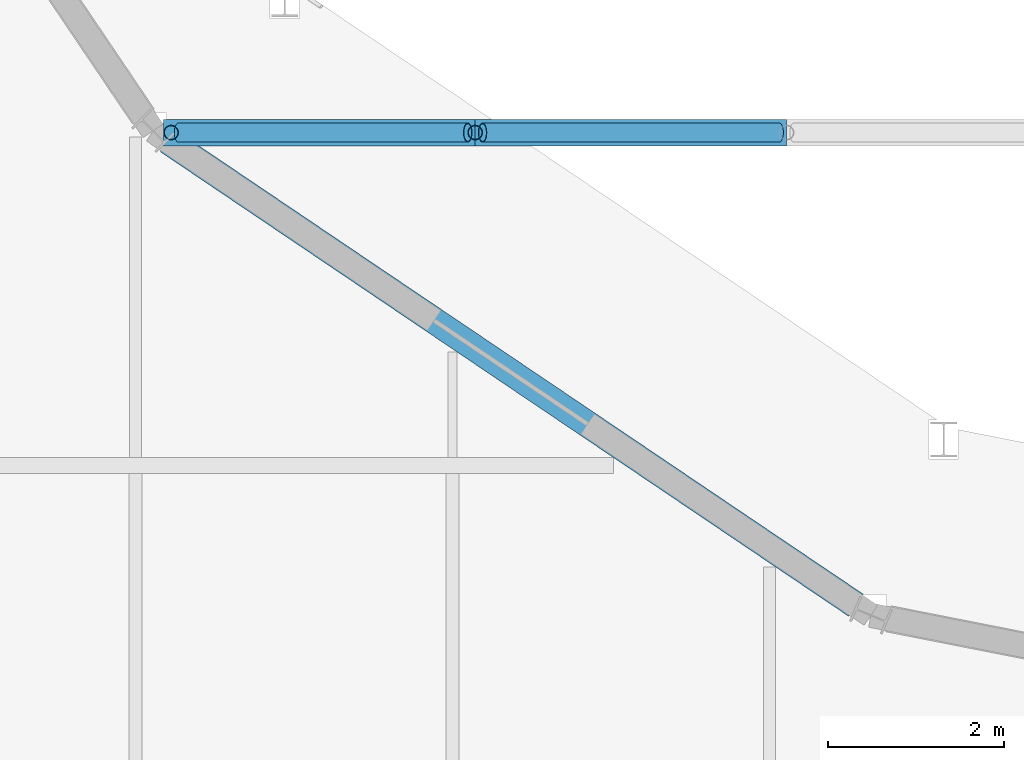
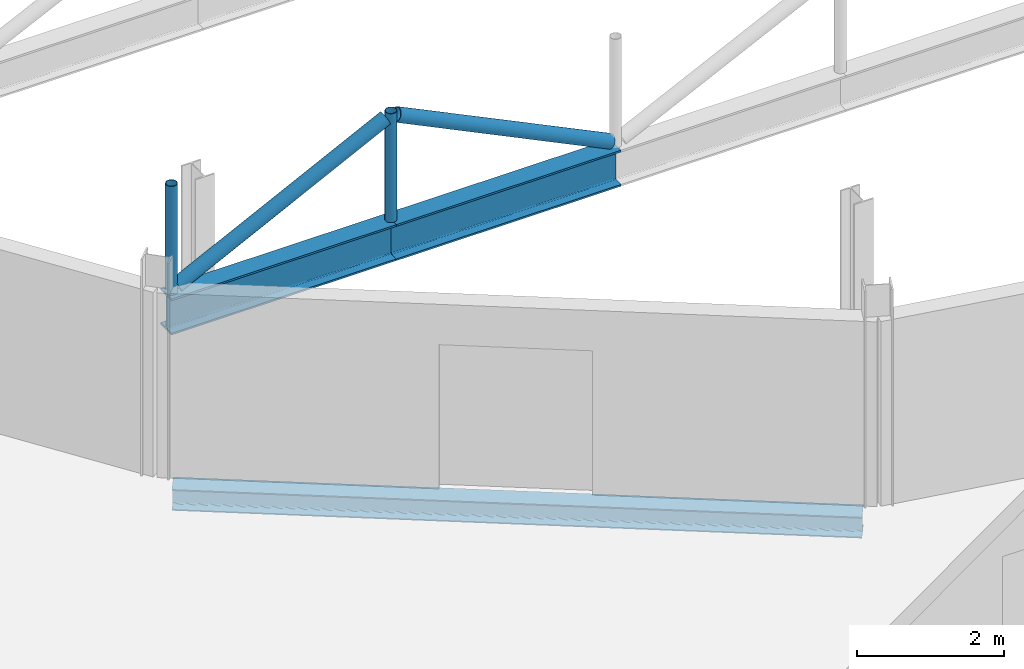
# One storey, part 34 of 143: 6 members, 1 beam.
"""IFC4 building model written with IfcOpenShell, lengths in metres."""

from ifc_helpers import new_model, si_unit, direction, frame, origin, origin_2d, place, context, subcontext, project, spatial, hollow_circle, i_section, extrude, material, material_profile, profile_set, type_object, element, save


model = new_model("IFC4")

# Units and contexts
model_context = context("Model", 3, precision=1e-05, world=origin(), true_north=direction((0.0, 1.0)))
body_context = subcontext(model_context, "Body", "Model", "MODEL_VIEW")
ifc_project = project(units=[si_unit("LENGTHUNIT", "METRE"), si_unit("AREAUNIT", "SQUARE_METRE"), si_unit("VOLUMEUNIT", "CUBIC_METRE"), si_unit("PLANEANGLEUNIT", "RADIAN"), si_unit("MASSUNIT", "GRAM", prefix="KILO")], contexts=[model_context])

# Site, building, storey
site_placement = place(None, origin())
site = spatial("IfcSite", under=ifc_project, at=site_placement, CompositionType="ELEMENT")
building_placement = place(site_placement, origin())
building = spatial("IfcBuilding", under=site, at=building_placement, Name="Kupolbacken Congress Centre", CompositionType="ELEMENT")
storey_placement = place(building_placement, frame((0.0, 0.0, 7.199951171875)))
storey = spatial("IfcBuildingStorey", under=building, at=storey_placement, Name="L02", CompositionType="ELEMENT", Elevation=7.199951171875)

# Beam
ifc_material_1 = material(Name="Steel S355", Category="steel")
ifc_material_profile_1 = material_profile(ifc_material_1, i_section(OverallWidth=0.300048828125, OverallDepth=0.35009765625, WebThickness=0.010009765625, FlangeThickness=0.017578125, FilletRadius=0.027099609375, at=origin_2d()), Name="HEA 360")
ifc_profile_set_1 = profile_set([ifc_material_profile_1], Name="Steel S355")
beam_type = type_object("IfcBeamType", Name="B13 beam HEA 360", PredefinedType="BEAM", material=ifc_profile_set_1)
beam_placement = place(storey_placement, frame((25.56884765625, 68.486083984375, -0.35498046875), z_axis=(0.828904528397, -0.55939009895, 0.0), x_axis=(0.55939009895, 0.828904528397, 0.0)))
element("IfcBeam", 1, at=beam_placement, inside=storey, type_object=beam_type, Name="S/floor/P/L02/C011", PredefinedType="BEAM", context=body_context, shape_type="SweptSolid", body=[
    extrude(i_section(OverallWidth=0.300048828125, OverallDepth=0.35009765625, WebThickness=0.010009765625, FlangeThickness=0.017578125, FilletRadius=0.027099609375, at=origin_2d()), origin(), (0.0, 0.0, 1.0), 9.424560546875),
])

# Members
ifc_material_2 = material(Name="Steel S355", Category="steel")
ifc_material_profile_2 = material_profile(ifc_material_2, i_section(OverallWidth=0.300048828125, OverallDepth=0.60009765625, WebThickness=0.015380859375, FlangeThickness=0.030029296875, FilletRadius=0.027099609375, at=origin_2d()), Name="HEB 600")
ifc_profile_set_2 = profile_set([ifc_material_profile_2], Name="Steel S355")
member_type_1 = type_object("IfcMemberType", Name="M02 transfer truss chord HEB 600", PredefinedType="CHORD", material=ifc_profile_set_2)
member_1_placement = place(storey_placement, frame((25.52099609375, 68.580810546875, 2.634033203125), z_axis=(1.0, 0.0, 0.0), x_axis=(0.0, 1.0, 0.0)))
element("IfcMember", 2, at=member_1_placement, inside=storey, type_object=member_type_1, Name="PD/L02/balc/trussR/BC01", PredefinedType="CHORD", context=body_context, shape_type="SweptSolid", body=[
    extrude(i_section(OverallWidth=0.300048828125, OverallDepth=0.60009765625, WebThickness=0.015380859375, FlangeThickness=0.030029296875, FilletRadius=0.027099609375, at=origin_2d()), origin(), (0.0, 0.0, 1.0), 3.53564453125),
])
member_2_placement = place(storey_placement, frame((29.056640625, 68.580810546875, 2.634033203125), z_axis=(1.0, 0.0, 0.0), x_axis=(0.0, 1.0, 0.0)))
element("IfcMember", 3, at=member_2_placement, inside=storey, type_object=member_type_1, Name="PD/L02/balc/trussR/BC02", PredefinedType="CHORD", context=body_context, shape_type="SweptSolid", body=[
    extrude(i_section(OverallWidth=0.300048828125, OverallDepth=0.60009765625, WebThickness=0.015380859375, FlangeThickness=0.030029296875, FilletRadius=0.027099609375, at=origin_2d()), origin(), (0.0, 0.0, 1.0), 3.535888671875),
])
ifc_material_3 = material(Name="Steel S355", Category="steel")
ifc_material_profile_3 = material_profile(ifc_material_3, hollow_circle(Radius=0.109619140625, WallThickness=0.010009765625, at=origin_2d()), Name="CHS 219.1 x 10")
ifc_profile_set_3 = profile_set([ifc_material_profile_3], Name="Steel S355")
member_type_2 = type_object("IfcMemberType", Name="M05 transfer truss web CHS 219.1 x 10", PredefinedType="BRACE", material=ifc_profile_set_3)
member_3_placement = place(storey_placement, frame((25.689208984375, 68.580810546875, 3.020263671875), z_axis=(0.895927659472, 0.0, 0.44419998761), x_axis=(0.0, 1.0, 0.0)))
element("IfcMember", 4, at=member_3_placement, inside=storey, type_object=member_type_2, Name="PD/L02/balc/trussR/D01", PredefinedType="BRACE", context=body_context, shape_type="SweptSolid", body=[
    extrude(hollow_circle(Radius=0.109619140625, WallThickness=0.010009765625, at=origin_2d()), origin(), (0.0, 0.0, 1.0), 3.664794921875),
])
member_4_placement = place(storey_placement, frame((29.140869140625, 68.580810546875, 4.6474609375), z_axis=(0.900441439307, 0.0, -0.434977257312), x_axis=(0.0, 1.0, 0.0)))
element("IfcMember", 5, at=member_4_placement, inside=storey, type_object=member_type_2, Name="PD/L02/balc/trussR/D02", PredefinedType="BRACE", context=body_context, shape_type="SweptSolid", body=[
    extrude(hollow_circle(Radius=0.109619140625, WallThickness=0.010009765625, at=origin_2d()), origin(), (0.0, 0.0, 1.0), 3.73974609375),
])
ifc_material_4 = material(Name="Steel S355", Category="steel")
ifc_material_profile_4 = material_profile(ifc_material_4, hollow_circle(Radius=0.084228515625, WallThickness=0.008056640625, at=origin_2d()), Name="CHS 168.3 x 8")
ifc_profile_set_4 = profile_set([ifc_material_profile_4], Name="Steel S355")
member_type_3 = type_object("IfcMemberType", Name="M20 transfer truss post CHS 168.3 x 8", PredefinedType="STRUT", material=ifc_profile_set_4)
for number, where, z_axis, x_axis, name in (
    (6, (25.60498046875, 68.580810546875, 2.924072265625), (0.0, 0.0, 1.0), (1.0, 0.0, 0.0), "PD/L02/balc/trussR/P00"),
    (7, (29.056640625, 68.580810546875, 2.924072265625), (0.0, 0.0, 1.0), (1.0, 0.0, 0.0), "PD/L02/balc/trussR/P01"),
):
    element("IfcMember", number, at=place(storey_placement, frame(where, z_axis=z_axis, x_axis=x_axis)), inside=storey, type_object=member_type_3, Name=name, PredefinedType="STRUT", context=body_context, shape_type="SweptSolid", body=[
        extrude(hollow_circle(Radius=0.084228515625, WallThickness=0.008056640625, at=origin_2d()), origin(), (0.0, 0.0, 1.0), 1.820068359375),
    ])

save(model, "model.ifc")
